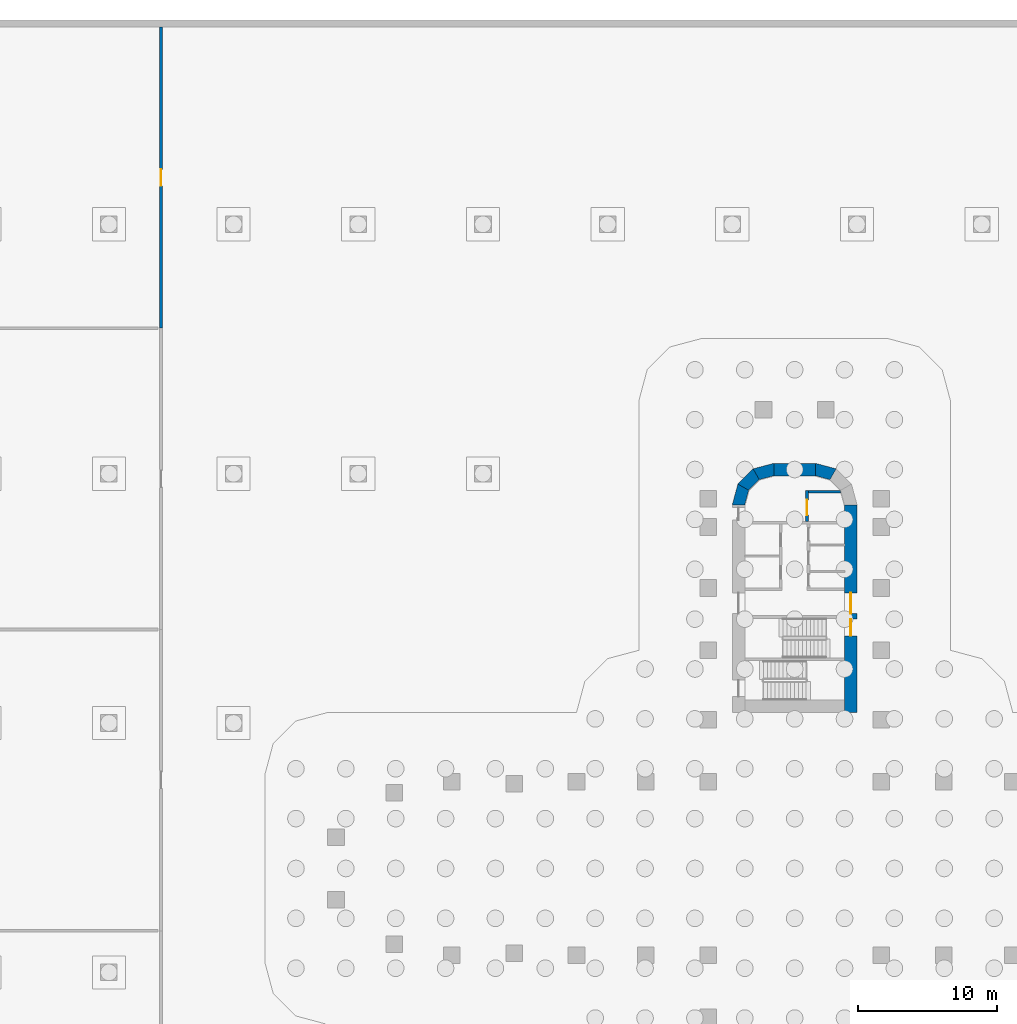
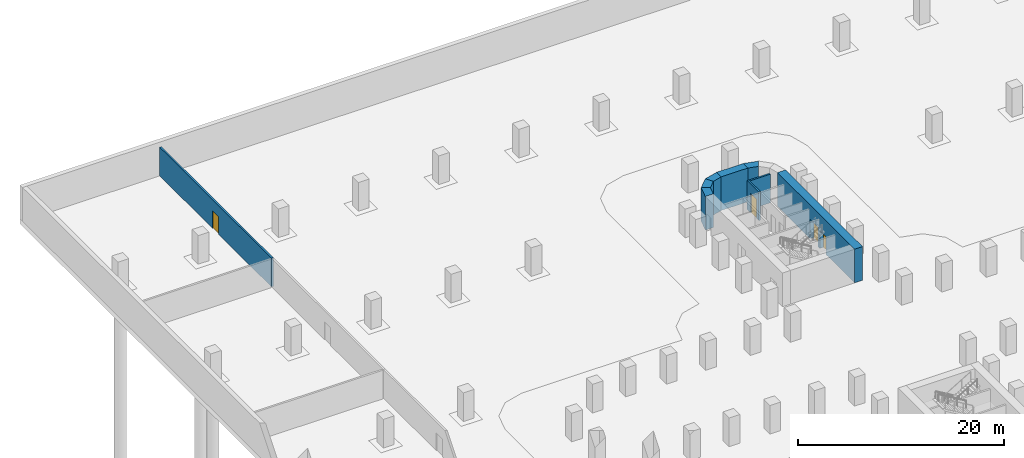
# One storey, part 12 of 14: 9 walls, 4 doors, 4 openings.
"""IFC4 building model written with IfcOpenShell, lengths in metres."""

from ifc_helpers import new_model, si_unit, direction, frame, frame_2d, origin, place, context, subcontext, project, spatial, polyline, rectangle, outline, extrude, material, layer, layer_set, type_object, element, fill, save


model = new_model("IFC4")

# Units and contexts
model_context = context("Model", 3, precision=1e-05, world=origin(), true_north=direction((0.0, 1.0)))
body_context = subcontext(model_context, "Body", "Model", "MODEL_VIEW")
ifc_project = project(units=[si_unit("LENGTHUNIT", "METRE"), si_unit("AREAUNIT", "SQUARE_METRE"), si_unit("VOLUMEUNIT", "CUBIC_METRE"), si_unit("PLANEANGLEUNIT", "RADIAN"), si_unit("MASSUNIT", "GRAM", prefix="KILO")], contexts=[model_context])

# Site, building, storey
site_placement = place(None, origin())
site = spatial("IfcSite", under=ifc_project, at=site_placement, CompositionType="ELEMENT")
building_placement = place(site_placement, origin())
building = spatial("IfcBuilding", under=site, at=building_placement, Name="Zarbagh Exchange Tower", CompositionType="ELEMENT")
storey_placement = place(building_placement, frame((0.0, 0.0, -8.0)))
storey = spatial("IfcBuildingStorey", under=building, at=storey_placement, Name="B2", CompositionType="ELEMENT", Elevation=-8.0)

# Wall, opening, door
ifc_material_1 = material(Name="Concrete block partition", Category="concrete")
ifc_layer_1 = layer(ifc_material_1, 0.199951171875)
ifc_layer_set_1 = layer_set([ifc_layer_1], Name="Fire-rated block partition 200 EI 120")
wall_type_1 = type_object("IfcWallType", Name="Fire-rated block partition 200 EI 120", PredefinedType="PARTITIONING", material=ifc_layer_set_1)
wall_1_placement = place(storey_placement, frame((-45.75, 39.0, 0.0), z_axis=(0.0, 0.0, 1.0), x_axis=(0.0, 1.0, 0.0)))
wall_1 = element("IfcWall", 1, at=wall_1_placement, inside=storey, type_object=wall_type_1, Name="WL-B2-W006", PredefinedType="PARTITIONING", context=body_context, shape_type="SweptSolid", body=[
    extrude(rectangle(XDim=21.75, YDim=0.199951171875, at=frame_2d((10.875, 0.0))), origin(), (0.0, 0.0, 1.0), 3.39990234375),
])
opening_1_placement = place(wall_1_placement, frame((10.27490234375, 0.0, 0.0)))
opening_1 = element("IfcOpeningElement", 2, at=opening_1_placement, cuts=wall_1, Name="Opening D44", PredefinedType="OPENING", context=body_context, shape_type="SweptSolid", body=[
    extrude(rectangle(XDim=1.199951171875, YDim=2.10009765625, at=frame_2d((0.60009765625, 1.050048828125))), frame((0.0, 0.10986328125, 0.0), z_axis=(0.0, -1.0, 0.0), x_axis=(1.0, 0.0, 0.0)), (0.0, 0.0, 1.0), 0.219970703125),
])
ifc_material_2 = material(Name="Steel door set", Category="steel")
door_type_1 = type_object("IfcDoorType", Name="Door single 1200x2100 EI 120", OperationType="SINGLE_SWING_LEFT", PredefinedType="DOOR", material=ifc_material_2)
door_1_placement = place(opening_1_placement, origin())
door_1 = element("IfcDoor", 3, at=door_1_placement, inside=storey, type_object=door_type_1, Name="D06", OperationType="SINGLE_SWING_LEFT", OverallHeight=2.10009765625, OverallWidth=1.199951171875, PredefinedType="DOOR", context=body_context, shape_type="SweptSolid", body=[
    extrude(rectangle(XDim=1.199951171875, YDim=2.10009765625, at=frame_2d((0.60009765625, 1.050048828125))), frame((0.0, 0.02490234375, 0.0), z_axis=(0.0, -1.0, 0.0), x_axis=(1.0, 0.0, 0.0)), (0.0, 0.0, 1.0), 0.050048828125),
])
fill(opening_1, door_1)

# Walls
ifc_material_3 = material(Name="Concrete C60/75", Category="concrete")
ifc_layer_2 = layer(ifc_material_3, 0.89990234375)
ifc_layer_set_2 = layer_set([ifc_layer_2], Name="RC core corner wall 900 C60/75")
wall_type_2 = type_object("IfcWallType", Name="RC core corner wall 900 C60/75", PredefinedType="SHEAR", material=ifc_layer_set_2)
wall_2_placement = place(storey_placement, origin())
element("IfcWall", 4, at=wall_2_placement, inside=storey, type_object=wall_type_2, Name="CW2 core N corner W", PredefinedType="SHEAR", context=body_context, shape_type="SweptSolid", body=[
    extrude(outline(polyline([(-4.5, 26.25), (-4.09814453125, 27.75), (-3.318603515625, 27.300048828125), (-3.60009765625, 26.25), (-4.5, 26.25)])), origin(), (0.0, 0.0, 1.0), 4.0),
])
wall_3_placement = place(storey_placement, origin())
element("IfcWall", 5, at=wall_3_placement, inside=storey, type_object=wall_type_2, Name="CW2 core N corner W", PredefinedType="SHEAR", context=body_context, shape_type="SweptSolid", body=[
    extrude(outline(polyline([(-4.09814453125, 27.75), (-3.0, 28.84814453125), (-2.550048828125, 28.068603515625), (-3.318603515625, 27.300048828125), (-4.09814453125, 27.75)])), origin(), (0.0, 0.0, 1.0), 4.0),
])
wall_4_placement = place(storey_placement, origin())
element("IfcWall", 6, at=wall_4_placement, inside=storey, type_object=wall_type_2, Name="CW2 core N corner W", PredefinedType="SHEAR", context=body_context, shape_type="SweptSolid", body=[
    extrude(outline(polyline([(-3.0, 28.84814453125), (-1.5, 29.25), (-1.5, 28.35009765625), (-2.550048828125, 28.068603515625), (-3.0, 28.84814453125)])), origin(), (0.0, 0.0, 1.0), 4.0),
])
wall_5_placement = place(storey_placement, origin())
element("IfcWall", 7, at=wall_5_placement, inside=storey, type_object=wall_type_2, Name="CW2 core N corner E", PredefinedType="SHEAR", context=body_context, shape_type="SweptSolid", body=[
    extrude(outline(polyline([(3.0, 28.84814453125), (1.5, 29.25), (1.5, 28.35009765625), (2.550048828125, 28.068603515625), (3.0, 28.84814453125)])), origin(), (0.0, 0.0, 1.0), 4.0),
])

# Wall, openings, doors
ifc_layer_3 = layer(ifc_material_3, 0.89990234375)
ifc_layer_set_3 = layer_set([ifc_layer_3], Name="RC core wall 900 C60/75")
wall_type_3 = type_object("IfcWallType", Name="RC core wall 900 C60/75", PredefinedType="SHEAR", material=ifc_layer_set_3)
wall_6_placement = place(storey_placement, frame((4.050048828125, 11.25, 0.0), z_axis=(0.0, 0.0, 1.0), x_axis=(0.0, 1.0, 0.0)))
wall_6 = element("IfcWall", 8, at=wall_6_placement, inside=storey, type_object=wall_type_3, Name="CW1 core N E", PredefinedType="SHEAR", context=body_context, shape_type="SweptSolid", body=[
    extrude(rectangle(XDim=15.0, YDim=0.89990234375, at=frame_2d((7.5, 0.0))), origin(), (0.0, 0.0, 1.0), 4.0),
])
opening_2_placement = place(wall_6_placement, frame((7.14990234375, 0.0, 0.0)))
opening_2 = element("IfcOpeningElement", 9, at=opening_2_placement, cuts=wall_6, Name="Opening CD1-1500", PredefinedType="OPENING", context=body_context, shape_type="SweptSolid", body=[
    extrude(rectangle(XDim=1.5, YDim=2.300048828125, at=frame_2d((0.75, 1.14990234375))), frame((0.0, 0.4599609375, 0.0), z_axis=(0.0, -1.0, 0.0), x_axis=(1.0, 0.0, 0.0)), (0.0, 0.0, 1.0), 0.919921875),
])
opening_3_placement = place(wall_6_placement, frame((5.550048828125, 0.0, 0.0)))
opening_3 = element("IfcOpeningElement", 10, at=opening_3_placement, cuts=wall_6, Name="Opening SD1-1200", PredefinedType="OPENING", context=body_context, shape_type="SweptSolid", body=[
    extrude(rectangle(XDim=1.199951171875, YDim=2.10009765625, at=frame_2d((0.60009765625, 1.050048828125))), frame((0.0, 0.4599609375, 0.0), z_axis=(0.0, -1.0, 0.0), x_axis=(1.0, 0.0, 0.0)), (0.0, 0.0, 1.0), 0.919921875),
])
ifc_material_4 = material(Name="Steel", Category="steel")
door_type_2 = type_object("IfcDoorType", Name="Exit stair door 1200 x 2100", OperationType="NOTDEFINED", PredefinedType="DOOR", material=ifc_material_4)
door_2_placement = place(opening_3_placement, origin())
door_2 = element("IfcDoor", 11, at=door_2_placement, inside=storey, type_object=door_type_2, Name="North core stair door ST1", OperationType="SINGLE_SWING_LEFT", OverallHeight=2.10009765625, OverallWidth=1.199951171875, PredefinedType="DOOR", context=body_context, shape_type="SweptSolid", body=[
    extrude(rectangle(XDim=1.199951171875, YDim=2.10009765625, at=frame_2d((0.60009765625, 1.050048828125))), frame((0.0, 0.02490234375, 0.0), z_axis=(0.0, -1.0, 0.0), x_axis=(1.0, 0.0, 0.0)), (0.0, 0.0, 1.0), 0.050048828125),
])
fill(opening_3, door_2)
door_type_3 = type_object("IfcDoorType", Name="Lift lobby double door 1500 x 2300", OperationType="NOTDEFINED", PredefinedType="DOOR", material=ifc_material_4)
door_3_placement = place(opening_2_placement, origin())
door_3 = element("IfcDoor", 12, at=door_3_placement, inside=storey, type_object=door_type_3, Name="North core lift lobby door LOBBY-E", OperationType="DOUBLE_DOOR_SINGLE_SWING", OverallHeight=2.300048828125, OverallWidth=1.5, PredefinedType="DOOR", context=body_context, shape_type="SweptSolid", body=[
    extrude(rectangle(XDim=1.5, YDim=2.300048828125, at=frame_2d((0.75, 1.14990234375))), frame((0.0, 0.02490234375, 0.0), z_axis=(0.0, -1.0, 0.0), x_axis=(1.0, 0.0, 0.0)), (0.0, 0.0, 1.0), 0.050048828125),
])
fill(opening_2, door_3)

# Wall
wall_7_placement = place(storey_placement, frame((-1.5, 28.800048828125, 0.0), z_axis=(0.0, 0.0, 1.0), x_axis=(1.0, 0.0, 0.0)))
element("IfcWall", 13, at=wall_7_placement, inside=storey, type_object=wall_type_3, Name="CW1 core N outer end", PredefinedType="SHEAR", context=body_context, shape_type="SweptSolid", body=[
    extrude(rectangle(XDim=3.0, YDim=0.89990234375, at=frame_2d((1.5, 0.0))), origin(), (0.0, 0.0, 1.0), 4.0),
])

# Wall, opening, door
ifc_material_5 = material(Name="Concrete C40/50", Category="concrete")
ifc_layer_4 = layer(ifc_material_5, 0.199951171875)
ifc_layer_set_4 = layer_set([ifc_layer_4], Name="Stair enclosure wall 200 mm RC C40/50")
wall_type_4 = type_object("IfcWallType", Name="Stair enclosure wall 200 mm RC C40/50", PredefinedType="SHEAR", material=ifc_layer_set_4)
wall_8_placement = place(storey_placement, frame((0.89990234375, 27.300048828125, 0.0), z_axis=(0.0, 0.0, 1.0), x_axis=(0.0, -1.0, 0.0)))
wall_8 = element("IfcWall", 14, at=wall_8_placement, inside=storey, type_object=wall_type_4, Name="North core lift shaft wall FFL", PredefinedType="SHEAR", context=body_context, shape_type="SweptSolid", body=[
    extrude(rectangle(XDim=2.25, YDim=0.199951171875, at=frame_2d((1.125, 0.0))), origin(), (0.0, 0.0, 1.0), 3.39990234375),
])
opening_4_placement = place(wall_8_placement, frame((0.699951171875, 0.0, 0.0)))
opening_4 = element("IfcOpeningElement", 15, at=opening_4_placement, cuts=wall_8, Name="Opening LD-1100", PredefinedType="OPENING", context=body_context, shape_type="SweptSolid", body=[
    extrude(rectangle(XDim=1.10009765625, YDim=2.300048828125, at=frame_2d((0.550048828125, 1.14990234375))), frame((0.0, 0.10986328125, 0.0), z_axis=(0.0, -1.0, 0.0), x_axis=(1.0, 0.0, 0.0)), (0.0, 0.0, 1.0), 0.219970703125),
])
ifc_material_6 = material(Name="Stainless steel", Category="steel")
door_type_4 = type_object("IfcDoorType", Name="Lift landing door 1100 x 2300", OperationType="NOTDEFINED", PredefinedType="DOOR", material=ifc_material_6)
door_4_placement = place(opening_4_placement, origin())
door_4 = element("IfcDoor", 16, at=door_4_placement, inside=storey, type_object=door_type_4, Name="North core lift landing door LD-F", OperationType="DOUBLE_DOOR_SLIDING", OverallHeight=2.300048828125, OverallWidth=1.10009765625, PredefinedType="DOOR", context=body_context, shape_type="SweptSolid", body=[
    extrude(rectangle(XDim=1.10009765625, YDim=2.300048828125, at=frame_2d((0.550048828125, 1.14990234375))), frame((0.0, 0.02490234375, 0.0), z_axis=(0.0, -1.0, 0.0), x_axis=(1.0, 0.0, 0.0)), (0.0, 0.0, 1.0), 0.050048828125),
])
fill(opening_4, door_4)

# Wall
wall_9_placement = place(storey_placement, origin())
element("IfcWall", 17, at=wall_9_placement, inside=storey, type_object=wall_type_4, Name="North core lift shaft wall FFX", PredefinedType="SHEAR", context=body_context, shape_type="SweptSolid", body=[
    extrude(outline(polyline([(1.0, 27.10009765625), (3.340576171875, 27.10009765625), (3.291259765625, 27.2841796875), (3.275390625, 27.300048828125), (1.0, 27.300048828125), (1.0, 27.10009765625)])), origin(), (0.0, 0.0, 1.0), 3.39990234375),
])

save(model, "model.ifc")
